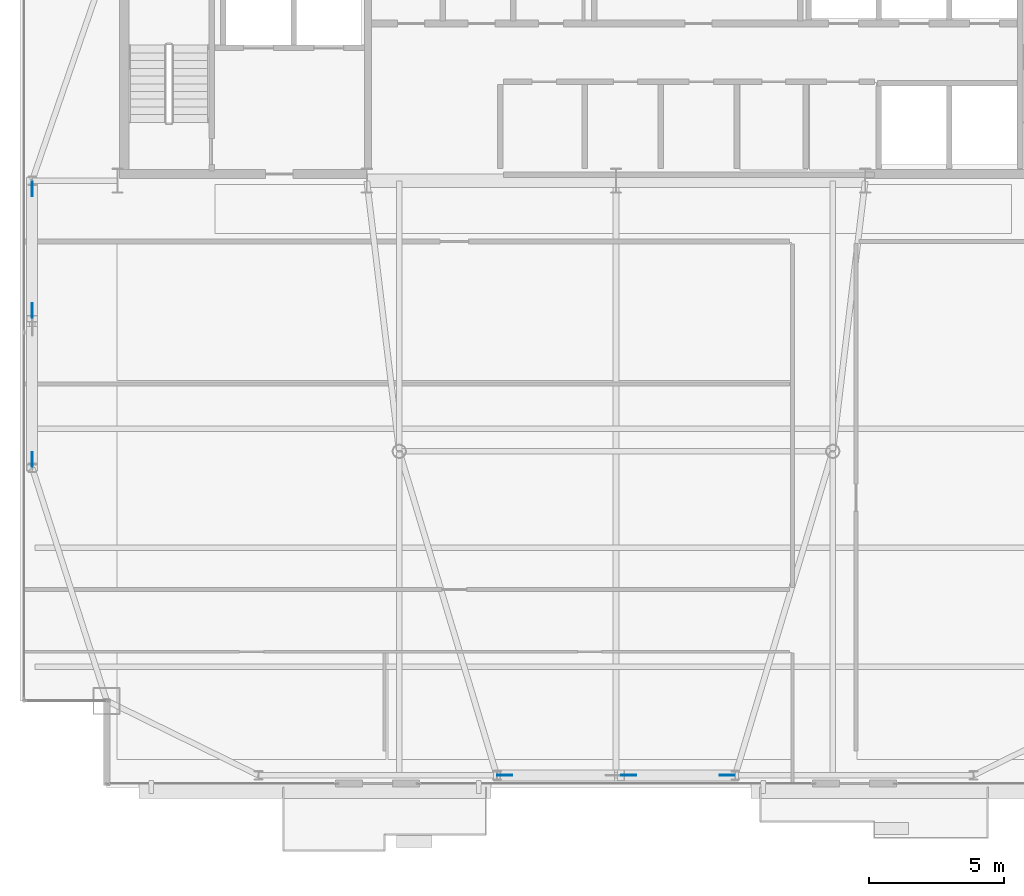
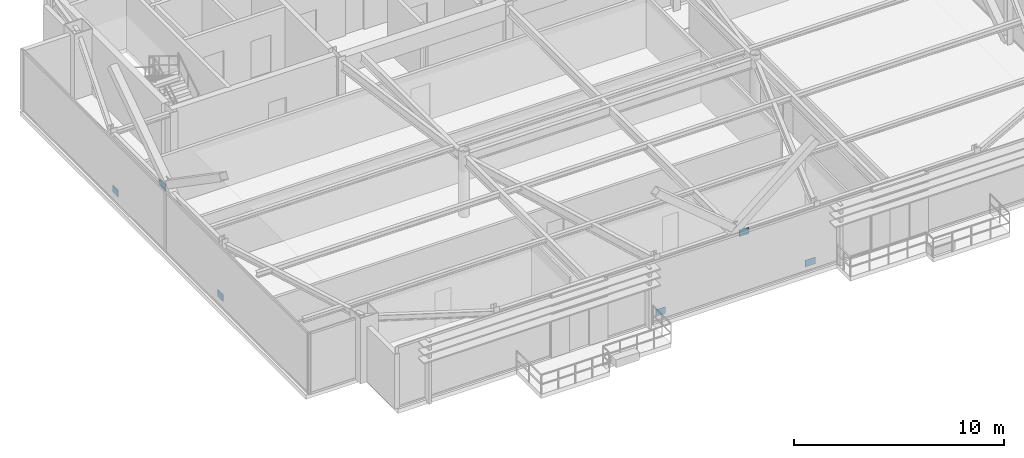
# One storey, part 19 of 25: 6 plates.
"""IFC4 building model written with IfcOpenShell, lengths in metres."""

from ifc_helpers import new_model, si_unit, direction, frame, origin, origin_2d, place, context, subcontext, project, spatial, rectangle, extrude, source, transform, mapped, material, layer, layer_set, type_object, type_shapes, element, save


model = new_model("IFC4")

# Units and contexts
model_context = context("Model", 3, precision=1e-05, world=origin(), true_north=direction((0.0, 1.0)))
body_context = subcontext(model_context, "Body", "Model", "MODEL_VIEW")
ifc_project = project(units=[si_unit("LENGTHUNIT", "METRE"), si_unit("AREAUNIT", "SQUARE_METRE"), si_unit("VOLUMEUNIT", "CUBIC_METRE"), si_unit("PLANEANGLEUNIT", "RADIAN"), si_unit("MASSUNIT", "GRAM", prefix="KILO")], contexts=[model_context])

# Site, building, storey
site_placement = place(None, origin())
site = spatial("IfcSite", under=ifc_project, at=site_placement, CompositionType="ELEMENT")
building_placement = place(site_placement, origin())
building = spatial("IfcBuilding", under=site, at=building_placement, Name="Varnel Quay Broadcast Tower", CompositionType="ELEMENT")
storey_placement = place(building_placement, frame((0.0, 0.0, 288.800048828125)))
storey = spatial("IfcBuildingStorey", under=building, at=storey_placement, Name="L72", CompositionType="ELEMENT", Elevation=288.800048828125)

# Plates
ifc_material = material(Name="Structural Steel CSA G40.21 350WT", Category="steel")
ifc_layer = layer(ifc_material, 0.031982421875, Name="Structural Steel CSA G40.21 350WT")
ifc_layer_set = layer_set([ifc_layer], Name="Structural Steel CSA G40.21 350WT")
plate_type = type_object("IfcPlateType", Name="Plate_EndCap", PredefinedType="USERDEFINED", material=ifc_layer_set)
shared_shape = source(origin(), body_context, "Body", "SweptSolid", [
    extrude(rectangle(XDim=0.5400390625, YDim=0.031982421875, at=origin_2d()), origin(), (0.0, 0.0, 1.0), 0.3798828125),
])
type_shapes(plate_type, [shared_shape])
for number, where, z_axis, x_axis, name in (
    (1, (29.892333984375, 13.64990234375, 0.07275390625), (0.0, 0.0, 1.0), (1.0, 0.0, 0.0), "Zone 5 Mega-Brace S-C1T3 Diag A End Connection Plate P0"),
    (2, (38.107666015625, 13.64990234375, 0.07275390625), (0.0, 0.0, 1.0), (1.0, 0.0, 0.0), "Zone 5 Mega-Brace S-C1T3 Diag B1 End Connection Plate P0"),
    (3, (34.470458984375, 13.64990234375, 3.09423828125), (0.0, 0.0, 1.0), (1.0, 0.0, 0.0), "Zone 5 Mega-Brace S-C1T3 Diag B1 End Connection Plate P1"),
    (4, (12.449951171875, 25.312744140625, 0.045654296875), (0.0, 0.0, 1.0), (0.0, 1.0, 0.0), "Zone 5 Mega-Brace W-FT3 Diag A End Connection Plate P0"),
    (5, (12.449951171875, 35.287109375, 0.045654296875), (0.0, 0.0, 1.0), (0.0, 1.0, 0.0), "Zone 5 Mega-Brace W-FT3 Diag B1 End Connection Plate P0"),
    (6, (12.449951171875, 30.812255859375, 3.1318359375), (0.0, 0.0, 1.0), (0.0, 1.0, 0.0), "Zone 5 Mega-Brace W-FT3 Diag B1 End Connection Plate P1"),
):
    element("IfcPlate", number, at=place(storey_placement, frame(where, z_axis=z_axis, x_axis=x_axis)), inside=storey, type_object=plate_type, Name=name, ObjectType="CAP_PLATE", PredefinedType="USERDEFINED", context=body_context, shape_type="MappedRepresentation", body=[
        mapped(shared_shape, transform((0.0, 0.0, 0.0), x_axis=(1.0, 0.0, 0.0), y_axis=(0.0, 1.0, 0.0), z_axis=(0.0, 0.0, 1.0), scale=1.0)),
    ])

save(model, "model.ifc")
